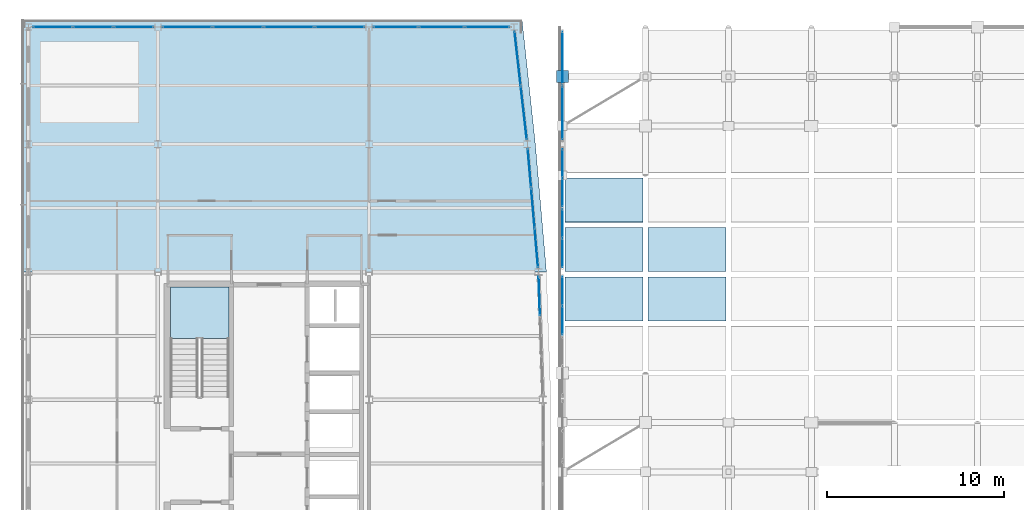
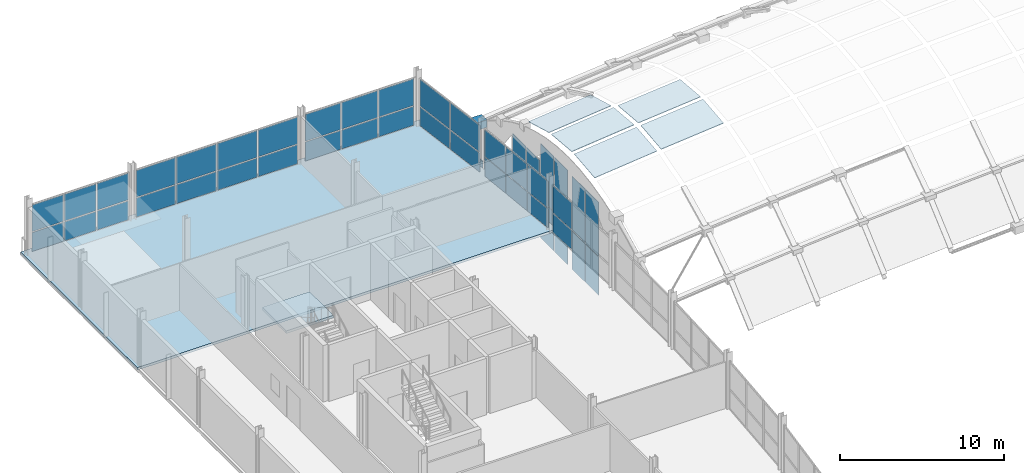
# One storey, part 43 of 65: 53 plates, 2 slabs, 13 elements without a shape of their own.
"""IFC4 building model written with IfcOpenShell, lengths in metres."""

from ifc_helpers import new_model, si_unit, direction, frame, origin, origin_2d, place, context, subcontext, project, spatial, polyline, rectangle, outline, extrude, material, layer, layer_set, type_object, element, aggregate, save


model = new_model("IFC4")

# Units and contexts
model_context = context("Model", 3, precision=1e-05, world=origin(), true_north=direction((0.0, 1.0)))
body_context = subcontext(model_context, "Body", "Model", "MODEL_VIEW")
ifc_project = project(units=[si_unit("LENGTHUNIT", "METRE"), si_unit("AREAUNIT", "SQUARE_METRE"), si_unit("VOLUMEUNIT", "CUBIC_METRE"), si_unit("PLANEANGLEUNIT", "RADIAN"), si_unit("MASSUNIT", "GRAM", prefix="KILO")], contexts=[model_context])

# Site, building, storey
site_placement = place(None, origin())
site = spatial("IfcSite", under=ifc_project, at=site_placement, CompositionType="ELEMENT")
building_placement = place(site_placement, origin())
building = spatial("IfcBuilding", under=site, at=building_placement, Name="Quillay Park Conservatory", CompositionType="ELEMENT")
storey_placement = place(building_placement, frame((0.0, 0.0, 14.10009765625)))
storey = spatial("IfcBuildingStorey", under=building, at=storey_placement, Name="L03", CompositionType="ELEMENT", Elevation=14.10009765625)

# Plate
ifc_material_1 = material(Name="Steel S355J2H", Category="steel")
ifc_layer_1 = layer(ifc_material_1, 0.0439453125)
ifc_layer_set_1 = layer_set([ifc_layer_1], Name="BOLTED GUSSET NODE PLATE GN04 (Steel S355J2H)")
plate_type_1 = type_object("IfcPlateType", Name="BOLTED GUSSET NODE PLATE GN04", PredefinedType="USERDEFINED", material=ifc_layer_set_1)
plate_1_placement = place(storey_placement, frame((30.64990234375, 110.614990234375, 0.636474609375), z_axis=(0.0, 0.0, 1.0), x_axis=(1.0, 0.0, 0.0)))
element("IfcPlate", 1, at=plate_1_placement, inside=storey, type_object=plate_type_1, Name="Conservatory gridshell star node GN04 (0,9)", ObjectType="GUSSET PLATE", PredefinedType="USERDEFINED", context=body_context, shape_type="SweptSolid", body=[
    extrude(rectangle(XDim=0.679931640625, YDim=0.679931640625, at=origin_2d()), origin(), (0.0, 0.0, 1.0), 0.5400390625),
])

# Curtain wall, plates
ifc_material_2 = material(Name="Thermally Broken Anodised Aluminium 6063-T6", Category="aluminium")
ifc_layer_2 = layer(ifc_material_2, 0.179931640625)
ifc_layer_set_2 = layer_set([ifc_layer_2], Name="UNITISED CURTAIN WALL TOWER (Thermally Broken Anodised Aluminium 6063-T6)")
curtain_wall_type_1 = type_object("IfcCurtainWallType", Name="UNITISED CURTAIN WALL TOWER", PredefinedType="USERDEFINED", material=ifc_layer_set_2)
curtain_wall_1_placement = place(storey_placement, origin())
curtain_wall_1 = element("IfcCurtainWall", 2, at=curtain_wall_1_placement, inside=storey, type_object=curtain_wall_type_1, Name="L03 Unitised Curtain Wall 032", ObjectType="UNITISED CURTAIN WALL", PredefinedType="USERDEFINED")
ifc_material_3 = material(Name="Low-E Double Glazing (Laminated Tempered)", Category="glass")
ifc_layer_3 = layer(ifc_material_3, 0.028076171875)
ifc_layer_set_3 = layer_set([ifc_layer_3], Name="CURTAIN WALL GLAZED PANEL 28 (Low-E Double Glazing (Laminated Tempered))")
plate_type_2 = type_object("IfcPlateType", Name="CURTAIN WALL GLAZED PANEL 28", PredefinedType="CURTAIN_PANEL", material=ifc_layer_set_3)
plate_2_placement = place(storey_placement, frame((29.346923828125, 98.249267578125, 0.06982421875), z_axis=(0.0, 0.0, 1.0), x_axis=(0.034713338537, -0.999397310446, 0.0)))
plate_2 = element("IfcPlate", 3, at=plate_2_placement, type_object=plate_type_2, Name="CW-T1 panel 1.1", PredefinedType="CURTAIN_PANEL", context=body_context, shape_type="SweptSolid", body=[
    extrude(rectangle(XDim=2.1630859375, YDim=0.028076171875, at=origin_2d()), origin(), (0.0, 0.0, 1.0), 1.406494140625),
])
plate_3_placement = place(storey_placement, frame((29.346923828125, 98.249267578125, 1.54638671875), z_axis=(0.0, 0.0, 1.0), x_axis=(0.034713338537, -0.999397310446, 0.0)))
plate_3 = element("IfcPlate", 4, at=plate_3_placement, type_object=plate_type_2, Name="CW-T1 panel 1.2", PredefinedType="CURTAIN_PANEL", context=body_context, shape_type="SweptSolid", body=[
    extrude(rectangle(XDim=2.1630859375, YDim=0.028076171875, at=origin_2d()), origin(), (0.0, 0.0, 1.0), 1.982421875),
])
aggregate(curtain_wall_1, [plate_2, plate_3])

curtain_wall_2_placement = place(storey_placement, origin())
curtain_wall_2 = element("IfcCurtainWall", 5, at=curtain_wall_2_placement, inside=storey, type_object=curtain_wall_type_1, Name="L03 Unitised Curtain Wall 033", ObjectType="UNITISED CURTAIN WALL", PredefinedType="USERDEFINED")
plate_4_placement = place(storey_placement, frame((28.792236328125, 105.44970703125, 0.06982421875), z_axis=(0.0, 0.0, 1.0), x_axis=(0.086480444465, -0.996253548413, 0.0)))
plate_4 = element("IfcPlate", 6, at=plate_4_placement, type_object=plate_type_2, Name="CW-T1 panel 1.1", PredefinedType="CURTAIN_PANEL", context=body_context, shape_type="SweptSolid", body=[
    extrude(rectangle(XDim=2.170654296875, YDim=0.028076171875, at=origin_2d()), origin(), (0.0, 0.0, 1.0), 1.406494140625),
])
plate_5_placement = place(storey_placement, frame((28.792236328125, 105.44970703125, 1.54638671875), z_axis=(0.0, 0.0, 1.0), x_axis=(0.086480444465, -0.996253548413, 0.0)))
plate_5 = element("IfcPlate", 7, at=plate_5_placement, type_object=plate_type_2, Name="CW-T1 panel 1.2", PredefinedType="CURTAIN_PANEL", context=body_context, shape_type="SweptSolid", body=[
    extrude(rectangle(XDim=2.170654296875, YDim=0.028076171875, at=origin_2d()), origin(), (0.0, 0.0, 1.0), 1.982421875),
])
plate_6_placement = place(storey_placement, frame((28.987548828125, 103.199951171875, 0.06982421875), z_axis=(0.0, 0.0, 1.0), x_axis=(0.086480444465, -0.996253548413, 0.0)))
plate_6 = element("IfcPlate", 8, at=plate_6_placement, type_object=plate_type_2, Name="CW-T1 panel 2.1", PredefinedType="CURTAIN_PANEL", context=body_context, shape_type="SweptSolid", body=[
    extrude(rectangle(XDim=2.20556640625, YDim=0.028076171875, at=origin_2d()), origin(), (0.0, 0.0, 1.0), 1.406494140625),
])
plate_7_placement = place(storey_placement, frame((28.987548828125, 103.199951171875, 1.54638671875), z_axis=(0.0, 0.0, 1.0), x_axis=(0.086480444465, -0.996253548413, 0.0)))
plate_7 = element("IfcPlate", 9, at=plate_7_placement, type_object=plate_type_2, Name="CW-T1 panel 2.2", PredefinedType="CURTAIN_PANEL", context=body_context, shape_type="SweptSolid", body=[
    extrude(rectangle(XDim=2.20556640625, YDim=0.028076171875, at=origin_2d()), origin(), (0.0, 0.0, 1.0), 1.982421875),
])
plate_8_placement = place(storey_placement, frame((29.182861328125, 100.9501953125, 0.06982421875), z_axis=(0.0, 0.0, 1.0), x_axis=(0.086480444465, -0.996253548413, 0.0)))
plate_8 = element("IfcPlate", 10, at=plate_8_placement, type_object=plate_type_2, Name="CW-T1 panel 3.1", PredefinedType="CURTAIN_PANEL", context=body_context, shape_type="SweptSolid", body=[
    extrude(rectangle(XDim=2.170654296875, YDim=0.028076171875, at=origin_2d()), origin(), (0.0, 0.0, 1.0), 1.406494140625),
])
plate_9_placement = place(storey_placement, frame((29.182861328125, 100.9501953125, 1.54638671875), z_axis=(0.0, 0.0, 1.0), x_axis=(0.086480444465, -0.996253548413, 0.0)))
plate_9 = element("IfcPlate", 11, at=plate_9_placement, type_object=plate_type_2, Name="CW-T1 panel 3.2", PredefinedType="CURTAIN_PANEL", context=body_context, shape_type="SweptSolid", body=[
    extrude(rectangle(XDim=2.170654296875, YDim=0.028076171875, at=origin_2d()), origin(), (0.0, 0.0, 1.0), 1.982421875),
])
aggregate(curtain_wall_2, [plate_4, plate_5, plate_6, plate_7, plate_8, plate_9])

curtain_wall_3_placement = place(storey_placement, origin())
curtain_wall_3 = element("IfcCurtainWall", 12, at=curtain_wall_3_placement, inside=storey, type_object=curtain_wall_type_1, Name="L03 Unitised Curtain Wall 034", ObjectType="UNITISED CURTAIN WALL", PredefinedType="USERDEFINED")
plate_10_placement = place(storey_placement, frame((28.125732421875, 111.63330078125, 0.06982421875), z_axis=(0.0, 0.0, 1.0), x_axis=(0.112903218278, -0.993605989969, 0.0)))
plate_10 = element("IfcPlate", 13, at=plate_10_placement, type_object=plate_type_2, Name="CW-T1 panel 1.1", PredefinedType="CURTAIN_PANEL", context=body_context, shape_type="SweptSolid", body=[
    extrude(rectangle(XDim=3.016357421875, YDim=0.028076171875, at=origin_2d()), origin(), (0.0, 0.0, 1.0), 1.406494140625),
])
plate_11_placement = place(storey_placement, frame((28.125732421875, 111.63330078125, 1.54638671875), z_axis=(0.0, 0.0, 1.0), x_axis=(0.112903218278, -0.993605989969, 0.0)))
plate_11 = element("IfcPlate", 14, at=plate_11_placement, type_object=plate_type_2, Name="CW-T1 panel 1.2", PredefinedType="CURTAIN_PANEL", context=body_context, shape_type="SweptSolid", body=[
    extrude(rectangle(XDim=3.016357421875, YDim=0.028076171875, at=origin_2d()), origin(), (0.0, 0.0, 1.0), 1.982421875),
])
plate_12_placement = place(storey_placement, frame((28.47412109375, 108.566650390625, 0.06982421875), z_axis=(0.0, 0.0, 1.0), x_axis=(0.112903218278, -0.993605989969, 0.0)))
plate_12 = element("IfcPlate", 15, at=plate_12_placement, type_object=plate_type_2, Name="CW-T1 panel 2.1", PredefinedType="CURTAIN_PANEL", context=body_context, shape_type="SweptSolid", body=[
    extrude(rectangle(XDim=3.016357421875, YDim=0.028076171875, at=origin_2d()), origin(), (0.0, 0.0, 1.0), 1.406494140625),
])
plate_13_placement = place(storey_placement, frame((28.47412109375, 108.566650390625, 1.54638671875), z_axis=(0.0, 0.0, 1.0), x_axis=(0.112903218278, -0.993605989969, 0.0)))
plate_13 = element("IfcPlate", 16, at=plate_13_placement, type_object=plate_type_2, Name="CW-T1 panel 2.2", PredefinedType="CURTAIN_PANEL", context=body_context, shape_type="SweptSolid", body=[
    extrude(rectangle(XDim=3.016357421875, YDim=0.028076171875, at=origin_2d()), origin(), (0.0, 0.0, 1.0), 1.982421875),
])
aggregate(curtain_wall_3, [plate_10, plate_11, plate_12, plate_13])

curtain_wall_4_placement = place(storey_placement, origin())
curtain_wall_4 = element("IfcCurtainWall", 17, at=curtain_wall_4_placement, inside=storey, type_object=curtain_wall_type_1, Name="L03 Unitised Curtain Wall 035", ObjectType="UNITISED CURTAIN WALL", PredefinedType="USERDEFINED")
plate_14_placement = place(storey_placement, frame((1.91748046875, 113.39990234375, 0.06982421875), z_axis=(0.0, 0.0, 1.0), x_axis=(1.0, 0.0, 0.0)))
plate_14 = element("IfcPlate", 18, at=plate_14_placement, type_object=plate_type_2, Name="CW-T1 panel 1.1", PredefinedType="CURTAIN_PANEL", context=body_context, shape_type="SweptSolid", body=[
    extrude(rectangle(XDim=2.195068359375, YDim=0.028076171875, at=origin_2d()), origin(), (0.0, 0.0, 1.0), 1.406494140625),
])
plate_15_placement = place(storey_placement, frame((1.91748046875, 113.39990234375, 1.54638671875), z_axis=(0.0, 0.0, 1.0), x_axis=(1.0, 0.0, 0.0)))
plate_15 = element("IfcPlate", 19, at=plate_15_placement, type_object=plate_type_2, Name="CW-T1 panel 1.2", PredefinedType="CURTAIN_PANEL", context=body_context, shape_type="SweptSolid", body=[
    extrude(rectangle(XDim=2.195068359375, YDim=0.028076171875, at=origin_2d()), origin(), (0.0, 0.0, 1.0), 1.982421875),
])
plate_16_placement = place(storey_placement, frame((4.199951171875, 113.39990234375, 0.06982421875), z_axis=(0.0, 0.0, 1.0), x_axis=(1.0, 0.0, 0.0)))
plate_16 = element("IfcPlate", 20, at=plate_16_placement, type_object=plate_type_2, Name="CW-T1 panel 2.1", PredefinedType="CURTAIN_PANEL", context=body_context, shape_type="SweptSolid", body=[
    extrude(rectangle(XDim=2.22998046875, YDim=0.028076171875, at=origin_2d()), origin(), (0.0, 0.0, 1.0), 1.406494140625),
])
plate_17_placement = place(storey_placement, frame((4.199951171875, 113.39990234375, 1.54638671875), z_axis=(0.0, 0.0, 1.0), x_axis=(1.0, 0.0, 0.0)))
plate_17 = element("IfcPlate", 21, at=plate_17_placement, type_object=plate_type_2, Name="CW-T1 panel 2.2", PredefinedType="CURTAIN_PANEL", context=body_context, shape_type="SweptSolid", body=[
    extrude(rectangle(XDim=2.22998046875, YDim=0.028076171875, at=origin_2d()), origin(), (0.0, 0.0, 1.0), 1.982421875),
])
plate_18_placement = place(storey_placement, frame((6.482421875, 113.39990234375, 0.06982421875), z_axis=(0.0, 0.0, 1.0), x_axis=(1.0, 0.0, 0.0)))
plate_18 = element("IfcPlate", 22, at=plate_18_placement, type_object=plate_type_2, Name="CW-T1 panel 3.1", PredefinedType="CURTAIN_PANEL", context=body_context, shape_type="SweptSolid", body=[
    extrude(rectangle(XDim=2.195068359375, YDim=0.028076171875, at=origin_2d()), origin(), (0.0, 0.0, 1.0), 1.406494140625),
])
plate_19_placement = place(storey_placement, frame((6.482421875, 113.39990234375, 1.54638671875), z_axis=(0.0, 0.0, 1.0), x_axis=(1.0, 0.0, 0.0)))
plate_19 = element("IfcPlate", 23, at=plate_19_placement, type_object=plate_type_2, Name="CW-T1 panel 3.2", PredefinedType="CURTAIN_PANEL", context=body_context, shape_type="SweptSolid", body=[
    extrude(rectangle(XDim=2.195068359375, YDim=0.028076171875, at=origin_2d()), origin(), (0.0, 0.0, 1.0), 1.982421875),
])
aggregate(curtain_wall_4, [plate_14, plate_15, plate_16, plate_17, plate_18, plate_19])

curtain_wall_5_placement = place(storey_placement, origin())
curtain_wall_5 = element("IfcCurtainWall", 24, at=curtain_wall_5_placement, inside=storey, type_object=curtain_wall_type_1, Name="L03 Unitised Curtain Wall 036", ObjectType="UNITISED CURTAIN WALL", PredefinedType="USERDEFINED")
plate_20_placement = place(storey_placement, frame((9.5048828125, 113.39990234375, 0.06982421875), z_axis=(0.0, 0.0, 1.0), x_axis=(1.0, 0.0, 0.0)))
plate_20 = element("IfcPlate", 25, at=plate_20_placement, type_object=plate_type_2, Name="CW-T1 panel 1.1", PredefinedType="CURTAIN_PANEL", context=body_context, shape_type="SweptSolid", body=[
    extrude(rectangle(XDim=2.77001953125, YDim=0.028076171875, at=origin_2d()), origin(), (0.0, 0.0, 1.0), 1.406494140625),
])
plate_21_placement = place(storey_placement, frame((9.5048828125, 113.39990234375, 1.54638671875), z_axis=(0.0, 0.0, 1.0), x_axis=(1.0, 0.0, 0.0)))
plate_21 = element("IfcPlate", 26, at=plate_21_placement, type_object=plate_type_2, Name="CW-T1 panel 1.2", PredefinedType="CURTAIN_PANEL", context=body_context, shape_type="SweptSolid", body=[
    extrude(rectangle(XDim=2.77001953125, YDim=0.028076171875, at=origin_2d()), origin(), (0.0, 0.0, 1.0), 1.982421875),
])
plate_22_placement = place(storey_placement, frame((12.362548828125, 113.39990234375, 0.06982421875), z_axis=(0.0, 0.0, 1.0), x_axis=(1.0, 0.0, 0.0)))
plate_22 = element("IfcPlate", 27, at=plate_22_placement, type_object=plate_type_2, Name="CW-T1 panel 2.1", PredefinedType="CURTAIN_PANEL", context=body_context, shape_type="SweptSolid", body=[
    extrude(rectangle(XDim=2.804931640625, YDim=0.028076171875, at=origin_2d()), origin(), (0.0, 0.0, 1.0), 1.406494140625),
])
plate_23_placement = place(storey_placement, frame((12.362548828125, 113.39990234375, 1.54638671875), z_axis=(0.0, 0.0, 1.0), x_axis=(1.0, 0.0, 0.0)))
plate_23 = element("IfcPlate", 28, at=plate_23_placement, type_object=plate_type_2, Name="CW-T1 panel 2.2", PredefinedType="CURTAIN_PANEL", context=body_context, shape_type="SweptSolid", body=[
    extrude(rectangle(XDim=2.804931640625, YDim=0.028076171875, at=origin_2d()), origin(), (0.0, 0.0, 1.0), 1.982421875),
])
plate_24_placement = place(storey_placement, frame((15.237548828125, 113.39990234375, 0.06982421875), z_axis=(0.0, 0.0, 1.0), x_axis=(1.0, 0.0, 0.0)))
plate_24 = element("IfcPlate", 29, at=plate_24_placement, type_object=plate_type_2, Name="CW-T1 panel 3.1", PredefinedType="CURTAIN_PANEL", context=body_context, shape_type="SweptSolid", body=[
    extrude(rectangle(XDim=2.804931640625, YDim=0.028076171875, at=origin_2d()), origin(), (0.0, 0.0, 1.0), 1.406494140625),
])
plate_25_placement = place(storey_placement, frame((15.237548828125, 113.39990234375, 1.54638671875), z_axis=(0.0, 0.0, 1.0), x_axis=(1.0, 0.0, 0.0)))
plate_25 = element("IfcPlate", 30, at=plate_25_placement, type_object=plate_type_2, Name="CW-T1 panel 3.2", PredefinedType="CURTAIN_PANEL", context=body_context, shape_type="SweptSolid", body=[
    extrude(rectangle(XDim=2.804931640625, YDim=0.028076171875, at=origin_2d()), origin(), (0.0, 0.0, 1.0), 1.982421875),
])
plate_26_placement = place(storey_placement, frame((18.094970703125, 113.39990234375, 0.06982421875), z_axis=(0.0, 0.0, 1.0), x_axis=(1.0, 0.0, 0.0)))
plate_26 = element("IfcPlate", 31, at=plate_26_placement, type_object=plate_type_2, Name="CW-T1 panel 4.1", PredefinedType="CURTAIN_PANEL", context=body_context, shape_type="SweptSolid", body=[
    extrude(rectangle(XDim=2.77001953125, YDim=0.028076171875, at=origin_2d()), origin(), (0.0, 0.0, 1.0), 1.406494140625),
])
plate_27_placement = place(storey_placement, frame((18.094970703125, 113.39990234375, 1.54638671875), z_axis=(0.0, 0.0, 1.0), x_axis=(1.0, 0.0, 0.0)))
plate_27 = element("IfcPlate", 32, at=plate_27_placement, type_object=plate_type_2, Name="CW-T1 panel 4.2", PredefinedType="CURTAIN_PANEL", context=body_context, shape_type="SweptSolid", body=[
    extrude(rectangle(XDim=2.77001953125, YDim=0.028076171875, at=origin_2d()), origin(), (0.0, 0.0, 1.0), 1.982421875),
])
aggregate(curtain_wall_5, [plate_20, plate_21, plate_22, plate_23, plate_24, plate_25, plate_26, plate_27])

curtain_wall_6_placement = place(storey_placement, origin())
curtain_wall_6 = element("IfcCurtainWall", 33, at=curtain_wall_6_placement, inside=storey, type_object=curtain_wall_type_1, Name="L03 Unitised Curtain Wall 037", ObjectType="UNITISED CURTAIN WALL", PredefinedType="USERDEFINED")
plate_28_placement = place(storey_placement, frame((21.263427734375, 113.39990234375, 0.06982421875), z_axis=(0.0, 0.0, 1.0), x_axis=(1.0, 0.0, 0.0)))
plate_28 = element("IfcPlate", 34, at=plate_28_placement, type_object=plate_type_2, Name="CW-T1 panel 1.1", PredefinedType="CURTAIN_PANEL", context=body_context, shape_type="SweptSolid", body=[
    extrude(rectangle(XDim=2.486572265625, YDim=0.028076171875, at=origin_2d()), origin(), (0.0, 0.0, 1.0), 1.406494140625),
])
plate_29_placement = place(storey_placement, frame((21.263427734375, 113.39990234375, 1.54638671875), z_axis=(0.0, 0.0, 1.0), x_axis=(1.0, 0.0, 0.0)))
plate_29 = element("IfcPlate", 35, at=plate_29_placement, type_object=plate_type_2, Name="CW-T1 panel 1.2", PredefinedType="CURTAIN_PANEL", context=body_context, shape_type="SweptSolid", body=[
    extrude(rectangle(XDim=2.486572265625, YDim=0.028076171875, at=origin_2d()), origin(), (0.0, 0.0, 1.0), 1.982421875),
])
plate_30_placement = place(storey_placement, frame((23.83740234375, 113.39990234375, 0.06982421875), z_axis=(0.0, 0.0, 1.0), x_axis=(1.0, 0.0, 0.0)))
plate_30 = element("IfcPlate", 36, at=plate_30_placement, type_object=plate_type_2, Name="CW-T1 panel 2.1", PredefinedType="CURTAIN_PANEL", context=body_context, shape_type="SweptSolid", body=[
    extrude(rectangle(XDim=2.521728515625, YDim=0.028076171875, at=origin_2d()), origin(), (0.0, 0.0, 1.0), 1.406494140625),
])
plate_31_placement = place(storey_placement, frame((23.83740234375, 113.39990234375, 1.54638671875), z_axis=(0.0, 0.0, 1.0), x_axis=(1.0, 0.0, 0.0)))
plate_31 = element("IfcPlate", 37, at=plate_31_placement, type_object=plate_type_2, Name="CW-T1 panel 2.2", PredefinedType="CURTAIN_PANEL", context=body_context, shape_type="SweptSolid", body=[
    extrude(rectangle(XDim=2.521728515625, YDim=0.028076171875, at=origin_2d()), origin(), (0.0, 0.0, 1.0), 1.982421875),
])
plate_32_placement = place(storey_placement, frame((26.41162109375, 113.39990234375, 0.06982421875), z_axis=(0.0, 0.0, 1.0), x_axis=(1.0, 0.0, 0.0)))
plate_32 = element("IfcPlate", 38, at=plate_32_placement, type_object=plate_type_2, Name="CW-T1 panel 3.1", PredefinedType="CURTAIN_PANEL", context=body_context, shape_type="SweptSolid", body=[
    extrude(rectangle(XDim=2.486572265625, YDim=0.028076171875, at=origin_2d()), origin(), (0.0, 0.0, 1.0), 1.406494140625),
])
plate_33_placement = place(storey_placement, frame((26.41162109375, 113.39990234375, 1.54638671875), z_axis=(0.0, 0.0, 1.0), x_axis=(1.0, 0.0, 0.0)))
plate_33 = element("IfcPlate", 39, at=plate_33_placement, type_object=plate_type_2, Name="CW-T1 panel 3.2", PredefinedType="CURTAIN_PANEL", context=body_context, shape_type="SweptSolid", body=[
    extrude(rectangle(XDim=2.486572265625, YDim=0.028076171875, at=origin_2d()), origin(), (0.0, 0.0, 1.0), 1.982421875),
])
aggregate(curtain_wall_6, [plate_28, plate_29, plate_30, plate_31, plate_32, plate_33])

ifc_material_4 = material(Name="Thermally Broken Anodised Aluminium 6063-T6", Category="aluminium")
ifc_layer_4 = layer(ifc_material_4, 0.219970703125)
ifc_layer_set_4 = layer_set([ifc_layer_4], Name="UNITISED CURTAIN WALL CONSERVATORY (Thermally Broken Anodised Aluminium 6063-T6)")
curtain_wall_type_2 = type_object("IfcCurtainWallType", Name="UNITISED CURTAIN WALL CONSERVATORY", PredefinedType="USERDEFINED", material=ifc_layer_set_4)
curtain_wall_7_placement = place(storey_placement, origin())
curtain_wall_7 = element("IfcCurtainWall", 40, at=curtain_wall_7_placement, inside=storey, type_object=curtain_wall_type_2, Name="L03 Unitised Curtain Wall 180", ObjectType="UNITISED CURTAIN WALL", PredefinedType="USERDEFINED")
ifc_material_5 = material(Name="Low-Iron Laminated Insulated Glazing", Category="glass")
ifc_layer_5 = layer(ifc_material_5, 0.031982421875)
ifc_layer_set_5 = layer_set([ifc_layer_5], Name="CURTAIN WALL GLAZED PANEL 32 (Low-Iron Laminated Insulated Glazing)")
plate_type_3 = type_object("IfcPlateType", Name="CURTAIN WALL GLAZED PANEL 32", PredefinedType="CURTAIN_PANEL", material=ifc_layer_set_5)
plate_34_placement = place(storey_placement, frame((30.64990234375, 96.8662109375, -3.13037109375), z_axis=(0.0, 0.0, 1.0), x_axis=(0.0, 1.0, 0.0)))
plate_34 = element("IfcPlate", 41, at=plate_34_placement, type_object=plate_type_3, Name="CW-C1 panel 1.1", PredefinedType="CURTAIN_PANEL", context=body_context, shape_type="SweptSolid", body=[
    extrude(rectangle(XDim=1.592529296875, YDim=0.031982421875, at=origin_2d()), origin(), (0.0, 0.0, 1.0), 2.853759765625),
])
plate_35_placement = place(storey_placement, frame((30.64990234375, 96.8662109375, -0.20654296875), z_axis=(0.0, 0.0, 1.0), x_axis=(0.0, 1.0, 0.0)))
plate_35 = element("IfcPlate", 42, at=plate_35_placement, type_object=plate_type_3, Name="CW-C1 panel 1.2", PredefinedType="CURTAIN_PANEL", context=body_context, shape_type="SweptSolid", body=[
    extrude(rectangle(XDim=1.592529296875, YDim=0.031982421875, at=origin_2d()), origin(), (0.0, 0.0, 1.0), 3.980712890625),
])
plate_36_placement = place(storey_placement, frame((30.64990234375, 98.52880859375, -3.13037109375), z_axis=(0.0, 0.0, 1.0), x_axis=(0.0, 1.0, 0.0)))
plate_36 = element("IfcPlate", 43, at=plate_36_placement, type_object=plate_type_3, Name="CW-C1 panel 2.1", PredefinedType="CURTAIN_PANEL", context=body_context, shape_type="SweptSolid", body=[
    extrude(rectangle(XDim=1.592529296875, YDim=0.031982421875, at=origin_2d()), origin(), (0.0, 0.0, 1.0), 2.853759765625),
])
plate_37_placement = place(storey_placement, frame((30.64990234375, 98.52880859375, -0.20654296875), z_axis=(0.0, 0.0, 1.0), x_axis=(0.0, 1.0, 0.0)))
plate_37 = element("IfcPlate", 44, at=plate_37_placement, type_object=plate_type_3, Name="CW-C1 panel 2.2", PredefinedType="CURTAIN_PANEL", context=body_context, shape_type="SweptSolid", body=[
    extrude(rectangle(XDim=1.592529296875, YDim=0.031982421875, at=origin_2d()), origin(), (0.0, 0.0, 1.0), 3.980712890625),
])
aggregate(curtain_wall_7, [plate_34, plate_35, plate_36, plate_37])

curtain_wall_8_placement = place(storey_placement, origin())
curtain_wall_8 = element("IfcCurtainWall", 45, at=curtain_wall_8_placement, inside=storey, type_object=curtain_wall_type_2, Name="L03 Unitised Curtain Wall 181", ObjectType="UNITISED CURTAIN WALL", PredefinedType="USERDEFINED")
plate_38_placement = place(storey_placement, frame((30.64990234375, 100.671142578125, -3.13037109375), z_axis=(0.0, 0.0, 1.0), x_axis=(0.0, 1.0, 0.0)))
plate_38 = element("IfcPlate", 46, at=plate_38_placement, type_object=plate_type_3, Name="CW-C1 panel 1.1", PredefinedType="CURTAIN_PANEL", context=body_context, shape_type="SweptSolid", body=[
    extrude(rectangle(XDim=1.592529296875, YDim=0.031982421875, at=origin_2d()), origin(), (0.0, 0.0, 1.0), 2.894775390625),
])
plate_39_placement = place(storey_placement, frame((30.64990234375, 100.671142578125, -0.16552734375), z_axis=(0.0, 0.0, 1.0), x_axis=(0.0, 1.0, 0.0)))
plate_39 = element("IfcPlate", 47, at=plate_39_placement, type_object=plate_type_3, Name="CW-C1 panel 1.2", PredefinedType="CURTAIN_PANEL", context=body_context, shape_type="SweptSolid", body=[
    extrude(rectangle(XDim=1.592529296875, YDim=0.031982421875, at=origin_2d()), origin(), (0.0, 0.0, 1.0), 4.03759765625),
])
plate_40_placement = place(storey_placement, frame((30.64990234375, 102.333740234375, -3.13037109375), z_axis=(0.0, 0.0, 1.0), x_axis=(0.0, 1.0, 0.0)))
plate_40 = element("IfcPlate", 48, at=plate_40_placement, type_object=plate_type_3, Name="CW-C1 panel 2.1", PredefinedType="CURTAIN_PANEL", context=body_context, shape_type="SweptSolid", body=[
    extrude(rectangle(XDim=1.592529296875, YDim=0.031982421875, at=origin_2d()), origin(), (0.0, 0.0, 1.0), 2.894775390625),
])
plate_41_placement = place(storey_placement, frame((30.64990234375, 102.333740234375, -0.16552734375), z_axis=(0.0, 0.0, 1.0), x_axis=(0.0, 1.0, 0.0)))
plate_41 = element("IfcPlate", 49, at=plate_41_placement, type_object=plate_type_3, Name="CW-C1 panel 2.2", PredefinedType="CURTAIN_PANEL", context=body_context, shape_type="SweptSolid", body=[
    extrude(rectangle(XDim=1.592529296875, YDim=0.031982421875, at=origin_2d()), origin(), (0.0, 0.0, 1.0), 4.03759765625),
])
aggregate(curtain_wall_8, [plate_38, plate_39, plate_40, plate_41])

curtain_wall_9_placement = place(storey_placement, origin())
curtain_wall_9 = element("IfcCurtainWall", 50, at=curtain_wall_9_placement, inside=storey, type_object=curtain_wall_type_2, Name="L03 Unitised Curtain Wall 182", ObjectType="UNITISED CURTAIN WALL", PredefinedType="USERDEFINED")
plate_42_placement = place(storey_placement, frame((30.64990234375, 104.066162109375, -3.130126953125), z_axis=(0.0, 0.0, 1.0), x_axis=(0.0, 1.0, 0.0)))
plate_42 = element("IfcPlate", 51, at=plate_42_placement, type_object=plate_type_3, Name="CW-C1 panel 1.1", PredefinedType="CURTAIN_PANEL", context=body_context, shape_type="SweptSolid", body=[
    extrude(rectangle(XDim=1.592529296875, YDim=0.031982421875, at=origin_2d()), origin(), (0.0, 0.0, 1.0), 2.33837890625),
])
plate_43_placement = place(storey_placement, frame((30.64990234375, 104.066162109375, -0.7216796875), z_axis=(0.0, 0.0, 1.0), x_axis=(0.0, 1.0, 0.0)))
plate_43 = element("IfcPlate", 52, at=plate_43_placement, type_object=plate_type_3, Name="CW-C1 panel 1.2", PredefinedType="CURTAIN_PANEL", context=body_context, shape_type="SweptSolid", body=[
    extrude(rectangle(XDim=1.592529296875, YDim=0.031982421875, at=origin_2d()), origin(), (0.0, 0.0, 1.0), 3.269287109375),
])
plate_44_placement = place(storey_placement, frame((30.64990234375, 105.728759765625, -3.130126953125), z_axis=(0.0, 0.0, 1.0), x_axis=(0.0, 1.0, 0.0)))
plate_44 = element("IfcPlate", 53, at=plate_44_placement, type_object=plate_type_3, Name="CW-C1 panel 2.1", PredefinedType="CURTAIN_PANEL", context=body_context, shape_type="SweptSolid", body=[
    extrude(rectangle(XDim=1.592529296875, YDim=0.031982421875, at=origin_2d()), origin(), (0.0, 0.0, 1.0), 2.33837890625),
])
plate_45_placement = place(storey_placement, frame((30.64990234375, 105.728759765625, -0.7216796875), z_axis=(0.0, 0.0, 1.0), x_axis=(0.0, 1.0, 0.0)))
plate_45 = element("IfcPlate", 54, at=plate_45_placement, type_object=plate_type_3, Name="CW-C1 panel 2.2", PredefinedType="CURTAIN_PANEL", context=body_context, shape_type="SweptSolid", body=[
    extrude(rectangle(XDim=1.592529296875, YDim=0.031982421875, at=origin_2d()), origin(), (0.0, 0.0, 1.0), 3.269287109375),
])
aggregate(curtain_wall_9, [plate_42, plate_43, plate_44, plate_45])

curtain_wall_10_placement = place(storey_placement, origin())
curtain_wall_10 = element("IfcCurtainWall", 55, at=curtain_wall_10_placement, inside=storey, type_object=curtain_wall_type_2, Name="L03 Unitised Curtain Wall 183", ObjectType="UNITISED CURTAIN WALL", PredefinedType="USERDEFINED")
plate_46_placement = place(storey_placement, frame((30.64990234375, 108.552490234375, -3.130126953125), z_axis=(0.0, 0.0, 1.0), x_axis=(0.0, 1.0, 0.0)))
plate_46 = element("IfcPlate", 56, at=plate_46_placement, type_object=plate_type_3, Name="CW-C1 panel 1.1", PredefinedType="CURTAIN_PANEL", context=body_context, shape_type="SweptSolid", body=[
    extrude(rectangle(XDim=2.955078125, YDim=0.031982421875, at=origin_2d()), origin(), (0.0, 0.0, 1.0), 1.5576171875),
])
plate_47_placement = place(storey_placement, frame((30.64990234375, 108.552490234375, -1.50244140625), z_axis=(0.0, 0.0, 1.0), x_axis=(0.0, 1.0, 0.0)))
plate_47 = element("IfcPlate", 57, at=plate_47_placement, type_object=plate_type_3, Name="CW-C1 panel 1.2", PredefinedType="CURTAIN_PANEL", context=body_context, shape_type="SweptSolid", body=[
    extrude(rectangle(XDim=2.955078125, YDim=0.031982421875, at=origin_2d()), origin(), (0.0, 0.0, 1.0), 2.19091796875),
])
aggregate(curtain_wall_10, [plate_46, plate_47])

# Curtain wall, plate
curtain_wall_11_placement = place(storey_placement, origin())
curtain_wall_11 = element("IfcCurtainWall", 58, at=curtain_wall_11_placement, inside=storey, type_object=curtain_wall_type_2, Name="L03 Unitised Curtain Wall 185", ObjectType="UNITISED CURTAIN WALL", PredefinedType="USERDEFINED")
plate_48_placement = place(storey_placement, frame((30.64990234375, 111.6474609375, -3.13037109375), z_axis=(0.0, 0.0, 1.0), x_axis=(0.0, 1.0, 0.0)))
plate_48 = element("IfcPlate", 59, at=plate_48_placement, type_object=plate_type_3, Name="CW-C1 panel 1.1", PredefinedType="CURTAIN_PANEL", context=body_context, shape_type="SweptSolid", body=[
    extrude(rectangle(XDim=2.955078125, YDim=0.031982421875, at=origin_2d()), origin(), (0.0, 0.0, 1.0), 1.416259765625),
])
aggregate(curtain_wall_11, [plate_48])

# Roof, plates
ifc_material_6 = material(Name="Low-Iron Laminated Insulated Glazing", Category="glass")
roof_type = type_object("IfcRoofType", Name="TRANSLATIONAL GRIDSHELL ROOF", PredefinedType="FREEFORM", material=ifc_material_6)
roof_placement = place(storey_placement, origin())
roof = element("IfcRoof", 60, at=roof_placement, inside=storey, type_object=roof_type, Name="Multi-Biome Conservatory Translational Gridshell Roof", PredefinedType="FREEFORM")
ifc_material_7 = material(Name="Low-Iron Laminated Insulated Glazing", Category="glass")
ifc_layer_6 = layer(ifc_material_7, 0.033935546875)
ifc_layer_set_6 = layer_set([ifc_layer_6], Name="GRIDSHELL GLAZED PANEL 34 (Low-Iron Laminated Insulated Glazing)")
plate_type_4 = type_object("IfcPlateType", Name="GRIDSHELL GLAZED PANEL 34", PredefinedType="SHEET", material=ifc_layer_set_6)
plate_49_placement = place(storey_placement, frame((30.800048828125, 102.409912109375, 5.08349609375), z_axis=(-0.100840278559, 0.269466298374, 0.957715590486), x_axis=(0.994502413448, 0.0, 0.10471365549)))
plate_49 = element("IfcPlate", 61, at=plate_49_placement, type_object=plate_type_4, Name="Conservatory Gridshell Roof Glazing Panel 00-06", PredefinedType="SHEET", context=body_context, shape_type="SweptSolid", body=[
    extrude(outline(polyline([(0.0, 0.0), (4.401885292261092, 0.0), (4.328667540961495, 2.580562907488287), (-0.07321775129959666, 2.580562907488287), (0.0, 0.0)])), origin(), (0.0, 0.0, -1.0), 0.033935546875),
])
plate_50_placement = place(storey_placement, frame((35.477783203125, 99.625, 5.84912109375), z_axis=(-0.092922608587, 0.087305928791, 0.991838224516), x_axis=(0.995640029065, 0.0, 0.09327878925)))
plate_50 = element("IfcPlate", 62, at=plate_50_placement, type_object=plate_type_4, Name="Conservatory Gridshell Roof Glazing Panel 01-05", PredefinedType="SHEET", context=body_context, shape_type="SweptSolid", body=[
    extrude(outline(polyline([(0.0, 0.0), (4.397100919709247, -6.938893903907228e-18), (4.376696184560837, 2.494633060700858), (-0.02040473514841063, 2.494633060700858), (0.0, 0.0)])), origin(), (0.0, 0.0, -1.0), 0.033935546875),
])
ifc_material_8 = material(Name="Low-Iron Laminated Insulated Glazing", Category="glass")
ifc_layer_7 = layer(ifc_material_8, 0.0380859375)
ifc_layer_set_7 = layer_set([ifc_layer_7], Name="GRIDSHELL GLAZED PANEL 38 (Low-Iron Laminated Insulated Glazing)")
plate_type_5 = type_object("IfcPlateType", Name="GRIDSHELL GLAZED PANEL 38", PredefinedType="SHEET", material=ifc_layer_set_7)
plate_51_placement = place(storey_placement, frame((30.800048828125, 96.840087890625, 5.09130859375), z_axis=(-0.104126902067, -0.105713856661, 0.988929809833), x_axis=(0.994502413448, 0.0, 0.10471365549)))
plate_51 = element("IfcPlate", 63, at=plate_51_placement, type_object=plate_type_5, Name="Conservatory Gridshell Roof Glazing Panel 00-04", PredefinedType="SHEET", context=body_context, shape_type="SweptSolid", body=[
    extrude(outline(polyline([(0.0, 0.0), (4.401885292261092, 0.0), (4.429699857000603, 2.4988654459810093), (0.027814564739511584, 2.4988654459810093), (0.0, 0.0)])), origin(), (0.0, 0.0, -1.0), 0.0380859375),
])
ifc_material_9 = material(Name="Low-Iron Laminated Insulated Glazing", Category="glass")
ifc_layer_8 = layer(ifc_material_9, 0.0419921875)
ifc_layer_set_8 = layer_set([ifc_layer_8], Name="GRIDSHELL GLAZED PANEL 42 (Low-Iron Laminated Insulated Glazing)")
plate_type_6 = type_object("IfcPlateType", Name="GRIDSHELL GLAZED PANEL 42", PredefinedType="SHEET", material=ifc_layer_set_8)
plate_52_placement = place(storey_placement, frame((30.800048828125, 99.625, 5.35693359375), z_axis=(-0.104314719317, 0.087206932348, 0.99071357631), x_axis=(0.994502413448, 0.0, 0.10471365549)))
plate_52 = element("IfcPlate", 64, at=plate_52_placement, type_object=plate_type_6, Name="Conservatory Gridshell Roof Glazing Panel 00-05", PredefinedType="SHEET", context=body_context, shape_type="SweptSolid", body=[
    extrude(outline(polyline([(0.0, 0.0), (4.401885292261092, -6.938893903907228e-18), (4.378979180122671, 2.4946113466399753), (-0.022906112138421305, 2.4946113466399753), (0.0, 0.0)])), origin(), (0.0, 0.0, -1.0), 0.0419921875),
])
plate_53_placement = place(storey_placement, frame((35.477783203125, 96.840087890625, 5.58349609375), z_axis=(-0.092754923644, -0.105833429501, 0.990048387373), x_axis=(0.995640029065, 0.0, 0.09327878925)))
plate_53 = element("IfcPlate", 65, at=plate_53_placement, type_object=plate_type_6, Name="Conservatory Gridshell Roof Glazing Panel 01-04", PredefinedType="SHEET", context=body_context, shape_type="SweptSolid", body=[
    extrude(outline(polyline([(0.0, 0.0), (4.397100919709247, 0.0), (4.421878098103746, 2.4988974085704925), (0.024777178394498625, 2.4988974085704925), (0.0, 0.0)])), origin(), (0.0, 0.0, -1.0), 0.0419921875),
])
aggregate(roof, [plate_51, plate_52, plate_49, plate_53, plate_50])

# Stair, slab
ifc_material_10 = material(Name="Concrete C35/45 (NCh170 Concrete C35/45)", Category="concrete")
stair_type = type_object("IfcStairType", Name="ENCLOSED DOG LEG STAIR 4200", PredefinedType="HALF_TURN_STAIR", material=ifc_material_10)
stair_placement = place(storey_placement, origin())
stair = element("IfcStair", 66, at=stair_placement, inside=storey, type_object=stair_type, Name="L03 Tower Protected Exit Stair 1", PredefinedType="HALF_TURN_STAIR")
ifc_material_11 = material(Name="Concrete C35/45 (NCh170 Concrete C35/45)", Category="concrete")
ifc_layer_9 = layer(ifc_material_11, 0.199951171875)
ifc_layer_set_9 = layer_set([ifc_layer_9], Name="STAIR LANDING SLAB 200 (Concrete C35/45 (NCh170 Concrete C35/45))")
slab_type_1 = type_object("IfcSlabType", Name="STAIR LANDING SLAB 200", PredefinedType="LANDING", material=ifc_layer_set_9)
slab_1_placement = place(storey_placement, frame((0.0, 0.0, 1.89990234375)))
slab_1 = element("IfcSlab", 67, at=slab_1_placement, type_object=slab_type_1, Name="ST-T1 landing 1", PredefinedType="LANDING", context=body_context, shape_type="SweptSolid", body=[
    extrude(outline(polyline([(11.8701171875, 95.85009765625), (11.8701171875, 98.75), (8.550048828125, 98.75), (8.550048828125, 95.85009765625), (11.8701171875, 95.85009765625)])), origin(), (0.0, 0.0, 1.0), 0.199951171875),
])
aggregate(stair, [slab_1])

# Slab
ifc_material_12 = material(Name="Concrete C35/45 (NCh170 Concrete C35/45)", Category="concrete")
ifc_layer_10 = layer(ifc_material_12, 0.18505859375)
ifc_layer_set_10 = layer_set([ifc_layer_10], Name="SUSPENDED FLOOR SLAB 185 (Concrete C35/45 (NCh170 Concrete C35/45))")
slab_type_2 = type_object("IfcSlabType", Name="SUSPENDED FLOOR SLAB 185", PredefinedType="FLOOR", material=ifc_layer_set_10)
slab_2_placement = place(storey_placement, frame((0.0, 0.0, -0.18505859375)))
element("IfcSlab", 68, at=slab_2_placement, inside=storey, type_object=slab_type_2, Name="L03 Research Tower North Chord Plate", PredefinedType="FLOOR", context=body_context, shape_type="SweptSolid", body=[
    extrude(outline(polyline([(0.25, 99.60009765625), (29.75, 99.60009765625), (29.125, 106.800048828125), (28.375, 113.800048828125), (0.25, 113.800048828125), (0.25, 99.60009765625)])), origin(), (0.0, 0.0, 1.0), 0.18505859375),
])

save(model, "model.ifc")
